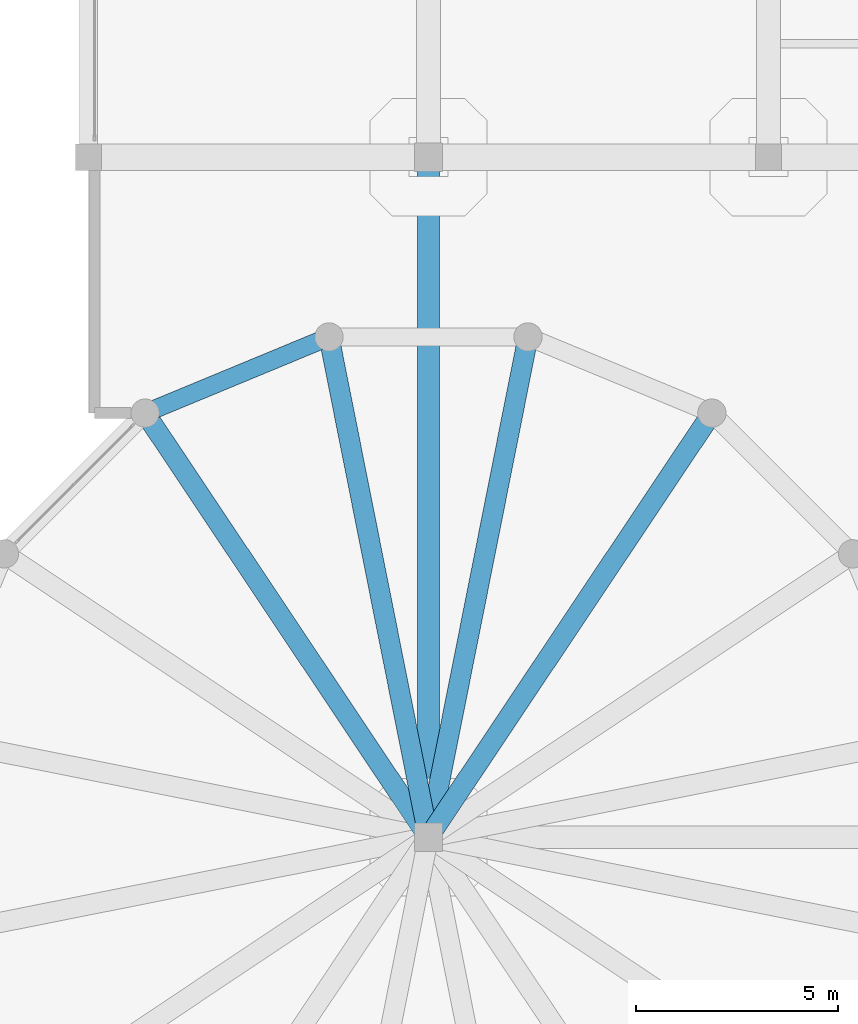
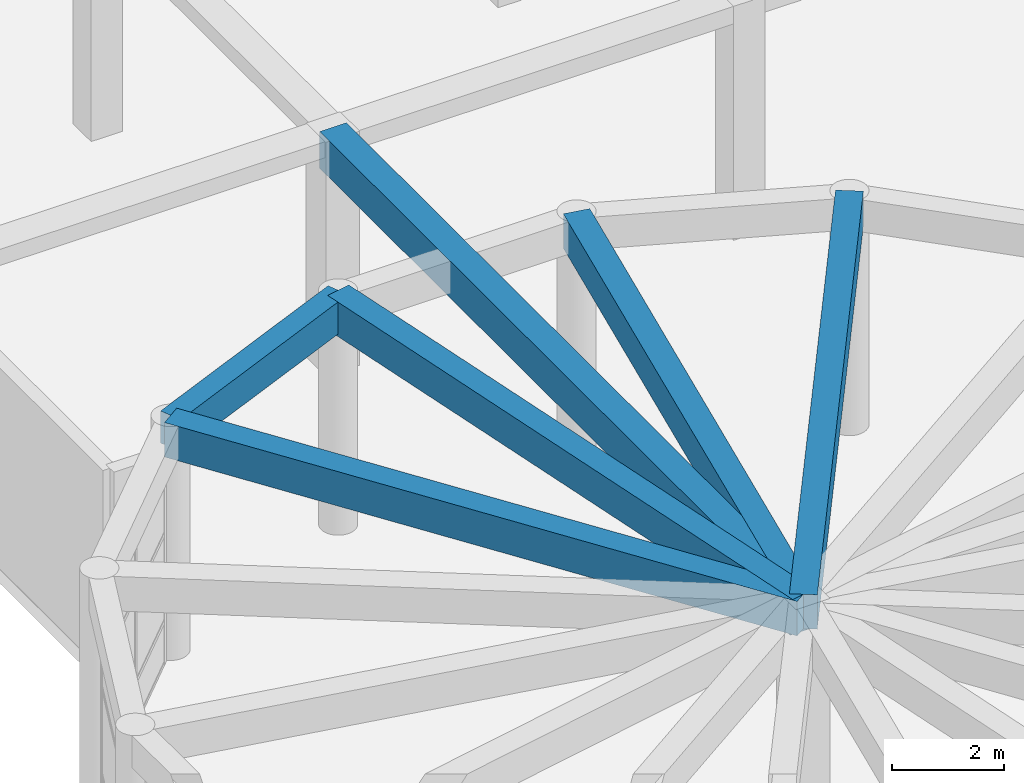
# One storey, part 14 of 96: 6 beams.
"""IFC4 building model written with IfcOpenShell, lengths in metres."""

from ifc_helpers import new_model, si_unit, direction, frame, origin, origin_2d, place, context, subcontext, project, spatial, rectangle, extrude, material, material_profile, profile_set, type_object, element, save


model = new_model("IFC4")

# Units and contexts
model_context = context("Model", 3, precision=1e-05, world=origin(), true_north=direction((0.0, 1.0)))
body_context = subcontext(model_context, "Body", "Model", "MODEL_VIEW")
ifc_project = project(units=[si_unit("LENGTHUNIT", "METRE"), si_unit("AREAUNIT", "SQUARE_METRE"), si_unit("VOLUMEUNIT", "CUBIC_METRE"), si_unit("PLANEANGLEUNIT", "RADIAN"), si_unit("MASSUNIT", "GRAM", prefix="KILO")], contexts=[model_context])

# Site, building, storey
site_placement = place(None, origin())
site = spatial("IfcSite", under=ifc_project, at=site_placement, CompositionType="ELEMENT")
building_placement = place(site_placement, origin())
building = spatial("IfcBuilding", under=site, at=building_placement, Name="Almacenes y Pasaje Nevantli", CompositionType="ELEMENT")
storey_placement = place(building_placement, frame((0.0, 0.0, 6.0)))
storey = spatial("IfcBuildingStorey", under=building, at=storey_placement, Name="L02", CompositionType="ELEMENT", Elevation=6.0)

# Beams
ifc_material_1 = material(Name="Concrete C35/45", Category="concrete")
ifc_material_profile_1 = material_profile(ifc_material_1, rectangle(XDim=0.449951171875, YDim=0.699951171875, at=origin_2d()), Name="RC-BM-450x700")
ifc_profile_set_1 = profile_set([ifc_material_profile_1], Name="Concrete C35/45")
beam_type_1 = type_object("IfcBeamType", Name="BM-RC-450x700", PredefinedType="SPANDREL", material=ifc_profile_set_1)
beam_1_placement = place(storey_placement, frame((5.94189453125, 20.7578125, 4.75), z_axis=(-0.923880043688, -0.382682198272, 0.0), x_axis=(0.382682198272, -0.923880043688, 0.0)))
element("IfcBeam", 1, at=beam_1_placement, inside=storey, type_object=beam_type_1, Name="L02 Rotunda Ring Spandrel Beam #5", PredefinedType="SPANDREL", context=body_context, shape_type="SweptSolid", body=[
    extrude(rectangle(XDim=0.449951171875, YDim=0.699951171875, at=origin_2d()), origin(), (0.0, 0.0, 1.0), 4.916259765625),
])
ifc_material_2 = material(Name="Concrete C35/45", Category="concrete")
ifc_material_profile_2 = material_profile(ifc_material_2, rectangle(XDim=0.5, YDim=0.75, at=origin_2d()), Name="RC-BM-500x750")
ifc_profile_set_2 = profile_set([ifc_material_profile_2], Name="Concrete C35/45")
beam_type_2 = type_object("IfcBeamType", Name="BM-RC-500x750", PredefinedType="BEAM", material=ifc_profile_set_2)
for number, where, z_axis, x_axis, name in (
    (2, (8.39990234375, 8.39990234375, 4.72509765625), (0.55557181757, 0.831468553537, 0.0), (-0.831468553537, 0.55557181757, 0.0), "L02 Rotunda Radial Girder #3"),
    (3, (8.39990234375, 8.39990234375, 4.72509765625), (0.195098780036, 0.980783597961, 0.0), (-0.980783597961, 0.195098780036, 0.0), "L02 Rotunda Radial Girder #4"),
    (4, (8.39990234375, 8.39990234375, 4.72509765625), (-0.195080141274, 0.980787305424, 0.0), (-0.980787305424, -0.195080141274, 0.0), "L02 Rotunda Radial Girder #5"),
):
    element("IfcBeam", number, at=place(storey_placement, frame(where, z_axis=z_axis, x_axis=x_axis)), inside=storey, type_object=beam_type_2, Name=name, PredefinedType="BEAM", context=body_context, shape_type="SweptSolid", body=[
        extrude(rectangle(XDim=0.5, YDim=0.75, at=origin_2d()), origin(), (0.0, 0.0, 1.0), 12.60009765625),
    ])
beam_2_placement = place(storey_placement, frame((8.39990234375, 8.39990234375, 4.72509765625), z_axis=(-0.55555842186, 0.831477504146, 0.0), x_axis=(-0.831477504146, -0.55555842186, 0.0)))
element("IfcBeam", 5, at=beam_2_placement, inside=storey, type_object=beam_type_2, Name="L02 Rotunda Radial Girder #6", PredefinedType="BEAM", context=body_context, shape_type="SweptSolid", body=[
    extrude(rectangle(XDim=0.5, YDim=0.75, at=origin_2d()), origin(), (0.0, 0.0, 1.0), 12.599853515625),
])
ifc_material_3 = material(Name="Concrete C35/45", Category="concrete")
ifc_material_profile_3 = material_profile(ifc_material_3, rectangle(XDim=0.550048828125, YDim=0.800048828125, at=origin_2d()), Name="RC-BM-550x800")
ifc_profile_set_3 = profile_set([ifc_material_profile_3], Name="Concrete C35/45")
beam_type_3 = type_object("IfcBeamType", Name="BM-RC-550x800", PredefinedType="BEAM", material=ifc_profile_set_3)
beam_3_placement = place(storey_placement, frame((8.39990234375, 8.39990234375, 4.699951171875), z_axis=(0.0, 1.0, 0.0), x_axis=(-1.0, 0.0, 0.0)))
element("IfcBeam", 6, at=beam_3_placement, inside=storey, type_object=beam_type_3, Name="L02 Rotunda-to-Grid Collector Girder #2236", PredefinedType="BEAM", context=body_context, shape_type="SweptSolid", body=[
    extrude(rectangle(XDim=0.550048828125, YDim=0.800048828125, at=origin_2d()), origin(), (0.0, 0.0, 1.0), 16.800048828125),
])

save(model, "model.ifc")
